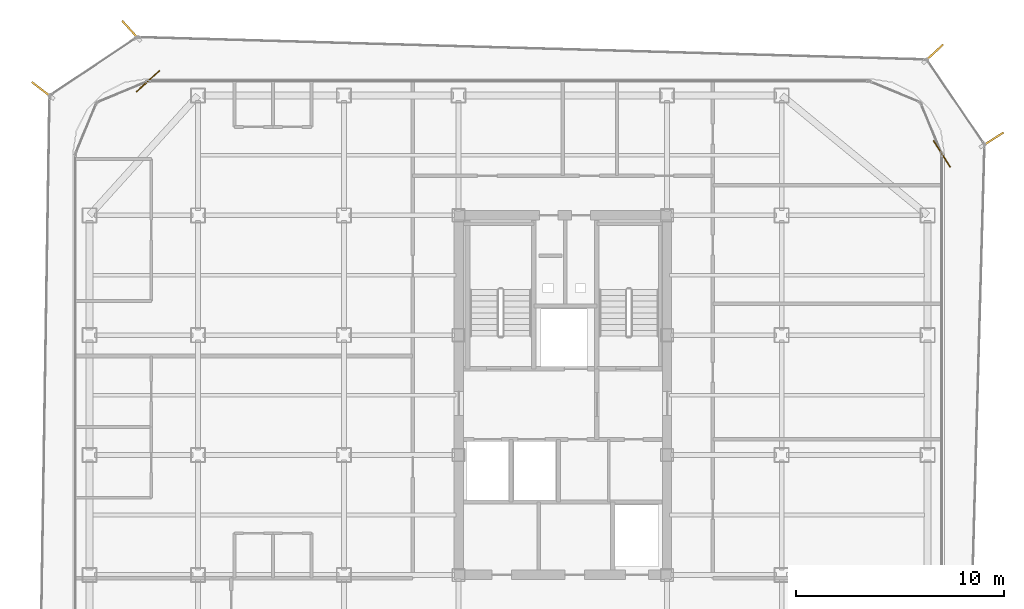
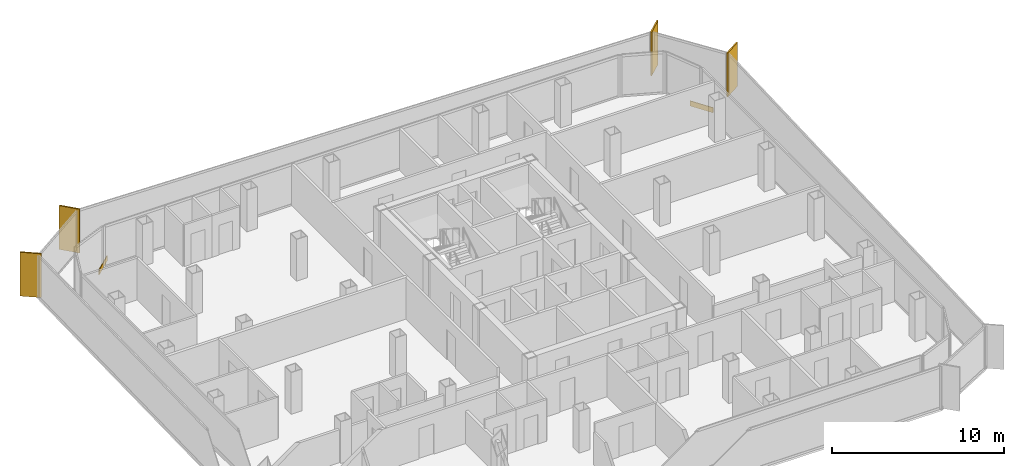
# One storey, part 16 of 16: 4 shading devices, 2 coverings.
"""IFC4 building model written with IfcOpenShell, lengths in metres."""

import ifcopenshell
import ifcopenshell.guid

model = None  # the IFC model being written
_history = None  # IfcOwnerHistory: only IFC2X3 demands one
_inside = {}  # id of a spatial element -> (the spatial element, [elements in it])
_under = {}  # id of a project, library or spatial element -> (it, [spatial elements below it])
_declared = {}  # id of a project -> (the project, [libraries it declares])
_typed = {}  # id of a type object -> (the type object, [elements of that type])
_made_of = {}  # id of a material, layer set ... -> (it, [elements and type objects made of it])


def new_model(schema):
    """Start an empty IFC model of exactly this schema.

    Asked for "IFC4X3", IfcOpenShell would pick the latest addendum, in which some entities
    have other attributes; the version numbers below select the first issue.
    IFC2X3 requires an IfcOwnerHistory on every rooted entity: one is made here for all.
    """
    global model, _history
    if schema == "IFC4X3":
        model = ifcopenshell.file(schema_version=(4, 3, 0, 0))
    else:
        model = ifcopenshell.file(schema=schema)
    _inside.clear()
    _under.clear()
    _declared.clear()
    _typed.clear()
    _made_of.clear()
    _history = None
    if model.schema == "IFC2X3":
        org = make("IfcOrganization", Name="unknown")
        user = make(
            "IfcPersonAndOrganization",
            ThePerson=make("IfcPerson", FamilyName="unknown"),
            TheOrganization=org,
        )
        app = make(
            "IfcApplication",
            ApplicationDeveloper=org,
            Version="unknown",
            ApplicationFullName="unknown",
            ApplicationIdentifier="unknown",
        )
        _history = make(
            "IfcOwnerHistory",
            OwningUser=user,
            OwningApplication=app,
            ChangeAction="ADDED",
            CreationDate=0,
        )
    return model


def make(cls, **values):
    """One entity of the class cls with the attributes given. An attribute that is None is left unset."""
    return model.create_entity(
        cls, **{name: value for name, value in values.items() if value is not None}
    )


def rooted(cls, **values):
    """An entity with a GlobalId (a new one), such as an element, a storey or a relation."""
    return make(cls, GlobalId=ifcopenshell.guid.new(), OwnerHistory=_history, **values)


def si_unit(unit_type, name, prefix=None):
    """IfcSIUnit, for example si_unit("LENGTHUNIT", "METRE", prefix="MILLI")."""
    return make("IfcSIUnit", UnitType=unit_type, Prefix=prefix, Name=name)


def assignment(units):
    """IfcUnitAssignment: the units of a project."""
    return None if units is None else make("IfcUnitAssignment", Units=units)


def point(xyz):
    """IfcCartesianPoint."""
    return None if xyz is None else make("IfcCartesianPoint", Coordinates=xyz)


def direction(xyz):
    """IfcDirection."""
    return None if xyz is None else make("IfcDirection", DirectionRatios=xyz)


def frame(location, z_axis=None, x_axis=None):
    """IfcAxis2Placement3D, a coordinate frame: its origin and axes. An axis left out is left unset."""
    return make(
        "IfcAxis2Placement3D",
        Location=point(location),
        Axis=direction(z_axis),
        RefDirection=direction(x_axis),
    )


def frame_2d(location, x_axis=None):
    """IfcAxis2Placement2D, a coordinate frame in the plane: its origin and x axis."""
    return make(
        "IfcAxis2Placement2D", Location=point(location), RefDirection=direction(x_axis)
    )


def origin():
    """The frame at (0, 0, 0) with its axes left unset."""
    return frame((0.0, 0.0, 0.0))


def origin_2d():
    """The frame at (0, 0) in the plane with its x axis left unset."""
    return frame_2d((0.0, 0.0))


def place(relative_to, where):
    """IfcLocalPlacement: puts the frame where relative to a parent placement (None: the world)."""
    return make(
        "IfcLocalPlacement", PlacementRelTo=relative_to, RelativePlacement=where
    )


def context(
    kind, dimensions, precision=None, world=None, true_north=None, identifier=None
):
    """IfcGeometricRepresentationContext, for example the 3D "Model" context."""
    return make(
        "IfcGeometricRepresentationContext",
        ContextIdentifier=identifier,
        ContextType=kind,
        CoordinateSpaceDimension=dimensions,
        Precision=precision,
        WorldCoordinateSystem=world,
        TrueNorth=true_north,
    )


def subcontext(parent, identifier, kind, view, scale=None):
    """IfcGeometricRepresentationSubContext, for example "Body" below "Model"."""
    return make(
        "IfcGeometricRepresentationSubContext",
        ContextIdentifier=identifier,
        ContextType=kind,
        ParentContext=parent,
        TargetScale=scale,
        TargetView=view,
    )


def project(units=None, contexts=None):
    """IfcProject with its units and contexts."""
    return rooted(
        "IfcProject",
        Name="project",
        RepresentationContexts=contexts,
        UnitsInContext=assignment(units),
    )


def spatial(cls, under=None, at=None, **own):
    """A site, building, storey or space (cls), placed at a placement, below another one or the project."""
    s = rooted(cls, ObjectPlacement=at, **own)
    if under is not None:
        _under.setdefault(under.id(), (under, []))[1].append(s)
    return s


def profile(cls, at=None, kind="AREA", **sizes):
    """A parametric profile (cls). Its sizes go by their IFC names, for example OverallWidth=200.0."""
    return make(cls, ProfileType=kind, Position=at, **sizes)


def rectangle(**sizes):
    """IfcRectangleProfileDef."""
    return profile("IfcRectangleProfileDef", **sizes)


def extrude(swept, where, along, depth):
    """IfcExtrudedAreaSolid: the profile swept, set in the frame where, extruded along a direction by depth."""
    return make(
        "IfcExtrudedAreaSolid",
        SweptArea=swept,
        Position=where,
        ExtrudedDirection=direction(along),
        Depth=depth,
    )


def shape(context_of_items, identifier, shape_type, items):
    """IfcShapeRepresentation: the items that make up one representation, for example the "Body"."""
    return make(
        "IfcShapeRepresentation",
        ContextOfItems=context_of_items,
        RepresentationIdentifier=identifier,
        RepresentationType=shape_type,
        Items=items,
    )


def source(mapping_origin, context_of_items, identifier, shape_type, items):
    """IfcRepresentationMap: a shape defined once, which mapped items show again and again."""
    return make(
        "IfcRepresentationMap",
        MappingOrigin=mapping_origin,
        MappedRepresentation=shape(context_of_items, identifier, shape_type, items),
    )


def transform(
    local_origin,
    x_axis=None,
    y_axis=None,
    z_axis=None,
    scale=None,
    scale2=None,
    scale3=None,
    uniform=True,
):
    """IfcCartesianTransformationOperator3D, or its non-uniform kind. x_axis, y_axis, z_axis: its Axis1, 2, 3."""
    if uniform:
        return make(
            "IfcCartesianTransformationOperator3D",
            Axis1=direction(x_axis),
            Axis2=direction(y_axis),
            LocalOrigin=point(local_origin),
            Scale=scale,
            Axis3=direction(z_axis),
        )
    return make(
        "IfcCartesianTransformationOperator3DnonUniform",
        Axis1=direction(x_axis),
        Axis2=direction(y_axis),
        LocalOrigin=point(local_origin),
        Scale=scale,
        Axis3=direction(z_axis),
        Scale2=scale2,
        Scale3=scale3,
    )


def mapped(mapping_source, mapping_target):
    """IfcMappedItem: shows the shape of a source again, moved by a transform."""
    return make(
        "IfcMappedItem", MappingSource=mapping_source, MappingTarget=mapping_target
    )


def material(Name=None, Category=None):
    """IfcMaterial."""
    return make("IfcMaterial", Name=Name, Category=Category)


def layer(
    of_material, thickness, ventilated=None, Name=None, Category=None, Priority=None
):
    """IfcMaterialLayer: one layer of a wall or slab, of a material (None: an air gap)."""
    return make(
        "IfcMaterialLayer",
        Material=of_material,
        LayerThickness=thickness,
        IsVentilated=ventilated,
        Name=Name,
        Category=Category,
        Priority=Priority,
    )


def layer_set(layers, Name=None):
    """IfcMaterialLayerSet."""
    return make("IfcMaterialLayerSet", MaterialLayers=layers, LayerSetName=Name)


def made_of(thing, what):
    """Note that an element or type object is made of a material, layer set ...; save() writes the relation."""
    if what is not None:
        _made_of.setdefault(what.id(), (what, []))[1].append(thing)
    return thing


def type_object(cls, material=None, **own):
    """A type object (cls), such as IfcWallType, which elements share."""
    return made_of(rooted(cls, **own), material)


def element(
    cls,
    number,
    at=None,
    inside=None,
    cuts=None,
    type_object=None,
    material=None,
    context=None,
    identifier="Body",
    shape_type=None,
    held_by="IfcProductDefinitionShape",
    body=None,
    shapes=None,
    **own,
):
    """One element of the class cls, such as IfcWall. Its Tag is "e" and its number.

    at: its placement. inside: the storey or other place that contains it. cuts: it is an
    opening in that element (IfcRelVoidsElement). A single representation is given by context,
    identifier, shape_type and body (its items); several are given by shapes. held_by: the class
    of the entity that holds the representations. save() writes the other relations.
    """
    e = rooted(cls, Tag="e%d" % number, ObjectPlacement=at, **own)
    if body is not None:
        shapes = [shape(context, identifier, shape_type, body)]
    if shapes is not None:
        e.Representation = make(held_by, Representations=shapes)
    if inside is not None:
        _inside.setdefault(inside.id(), (inside, []))[1].append(e)
    if cuts is not None:
        rooted(
            "IfcRelVoidsElement", RelatingBuildingElement=cuts, RelatedOpeningElement=e
        )
    if type_object is not None:
        _typed.setdefault(type_object.id(), (type_object, []))[1].append(e)
    return made_of(e, material)


def aggregate(whole, parts):
    """IfcRelAggregates: a whole, such as a stair, and the parts it consists of."""
    return rooted("IfcRelAggregates", RelatingObject=whole, RelatedObjects=parts)


def save(model, path):
    """Write the relations noted so far, then the file.

    IfcRelAggregates (storeys below a building ...), IfcRelContainedInSpatialStructure (elements
    in a storey), IfcRelDefinesByType, IfcRelAssociatesMaterial and IfcRelDeclares: one each for
    every whole, place, type object, material and project.
    """
    for whole, parts in _under.values():
        aggregate(whole, parts)
    for where, things in _inside.values():
        rooted(
            "IfcRelContainedInSpatialStructure",
            RelatedElements=things,
            RelatingStructure=where,
        )
    for kind, things in _typed.values():
        rooted("IfcRelDefinesByType", RelatedObjects=things, RelatingType=kind)
    for what, things in _made_of.values():
        rooted("IfcRelAssociatesMaterial", RelatedObjects=things, RelatingMaterial=what)
    for by, libraries in _declared.values():
        rooted("IfcRelDeclares", RelatingContext=by, RelatedDefinitions=libraries)
    model.write(path)


model = new_model("IFC4")

# Units and contexts
model_context = context("Model", 3, precision=1e-05, world=origin(), true_north=direction((0.0, 1.0)))
body_context = subcontext(model_context, "Body", "Model", "MODEL_VIEW")
ifc_project = project(units=[si_unit("LENGTHUNIT", "METRE"), si_unit("AREAUNIT", "SQUARE_METRE"), si_unit("VOLUMEUNIT", "CUBIC_METRE"), si_unit("PLANEANGLEUNIT", "RADIAN"), si_unit("MASSUNIT", "GRAM", prefix="KILO")], contexts=[model_context])

# Site, building, storey
site_placement = place(None, origin())
site = spatial("IfcSite", under=ifc_project, at=site_placement, CompositionType="ELEMENT")
building_placement = place(site_placement, origin())
building = spatial("IfcBuilding", under=site, at=building_placement, Name="Kolveth Station Tower", CompositionType="ELEMENT")
storey_placement = place(building_placement, frame((0.0, 0.0, 209.199951171875)))
storey = spatial("IfcBuildingStorey", under=building, at=storey_placement, Name="L59", CompositionType="ELEMENT", Elevation=209.199951171875)

# Shading devices
ifc_material_1 = material(Name="Black anodized aluminium 6063-T6", Category="aluminium")
shading_device_type = type_object("IfcShadingDeviceType", Name="FIN_VF1", PredefinedType="USERDEFINED", material=ifc_material_1)
shared_shape_1 = source(origin(), body_context, "Body", "SweptSolid", [
    extrude(rectangle(XDim=1.25, YDim=0.090087890625, at=origin_2d()), origin(), (0.0, 0.0, 1.0), 3.10009765625),
])
for number, where, z_axis, x_axis, name in (
    (1, (44.112060546875, 32.386962890625, 0.0), (0.0, 0.0, 1.0), (0.844234393225, 0.53597414984, 0.0), "L59 Dark-Aluminium Solar Fin 3"),
    (2, (41.29296875, 36.52490234375, 0.0), (0.0, 0.0, 1.0), (0.733848438205, 0.679313233894, 0.0), "L59 Dark-Aluminium Solar Fin 4"),
    (3, (2.777099609375, 37.6259765625, 0.0), (0.0, 0.0, 1.0), (-0.671979137981, 0.74057007644, 0.0), "L59 Dark-Aluminium Solar Fin 5"),
    (4, (-1.47412109375, 34.762939453125, 0.0), (0.0, 0.0, 1.0), (-0.794308601354, 0.607514481979, 0.0), "L59 Dark-Aluminium Solar Fin 6"),
):
    element("IfcShadingDevice", number, at=place(storey_placement, frame(where, z_axis=z_axis, x_axis=x_axis)), inside=storey, type_object=shading_device_type, Name=name, ObjectType="FIN", PredefinedType="USERDEFINED", context=body_context, shape_type="MappedRepresentation", body=[
        mapped(shared_shape_1, transform((0.0, 0.0, 0.0), x_axis=(1.0, 0.0, 0.0), y_axis=(0.0, 1.0, 0.0), z_axis=(0.0, 0.0, 1.0), scale=1.0)),
    ])

# Coverings
ifc_material_2 = material(Name="Charcoal anodized aluminium spandrel cladding", Category="aluminium")
ifc_layer = layer(ifc_material_2, 0.044921875)
ifc_layer_set = layer_set([ifc_layer], Name="Charcoal anodized aluminium spandrel cladding")
covering_type = type_object("IfcCoveringType", Name="Clad_CD1", PredefinedType="CLADDING", material=ifc_layer_set)
shared_shape_2 = source(origin(), body_context, "Body", "SweptSolid", [
    extrude(rectangle(XDim=1.5, YDim=0.044921875, at=origin_2d()), origin(), (0.0, 0.0, 1.0), 0.360107421875),
])
for number, where, z_axis, x_axis, name in (
    (5, (41.679931640625, 31.699951171875, 0.0), (0.0, 0.0, 1.0), (-0.53597414984, 0.844234393225, 0.0), "L59 Spandrel Edge Cladding 3"),
    (6, (3.60009765625, 35.179931640625, 0.0), (0.0, 0.0, 1.0), (-0.74057007644, -0.671979137981, 0.0), "L59 Spandrel Edge Cladding 5"),
):
    element("IfcCovering", number, at=place(storey_placement, frame(where, z_axis=z_axis, x_axis=x_axis)), inside=storey, type_object=covering_type, Name=name, PredefinedType="CLADDING", context=body_context, shape_type="MappedRepresentation", body=[
        mapped(shared_shape_2, transform((0.0, 0.0, 0.0), x_axis=(1.0, 0.0, 0.0), y_axis=(0.0, 1.0, 0.0), z_axis=(0.0, 0.0, 1.0), scale=1.0)),
    ])

save(model, "model.ifc")
